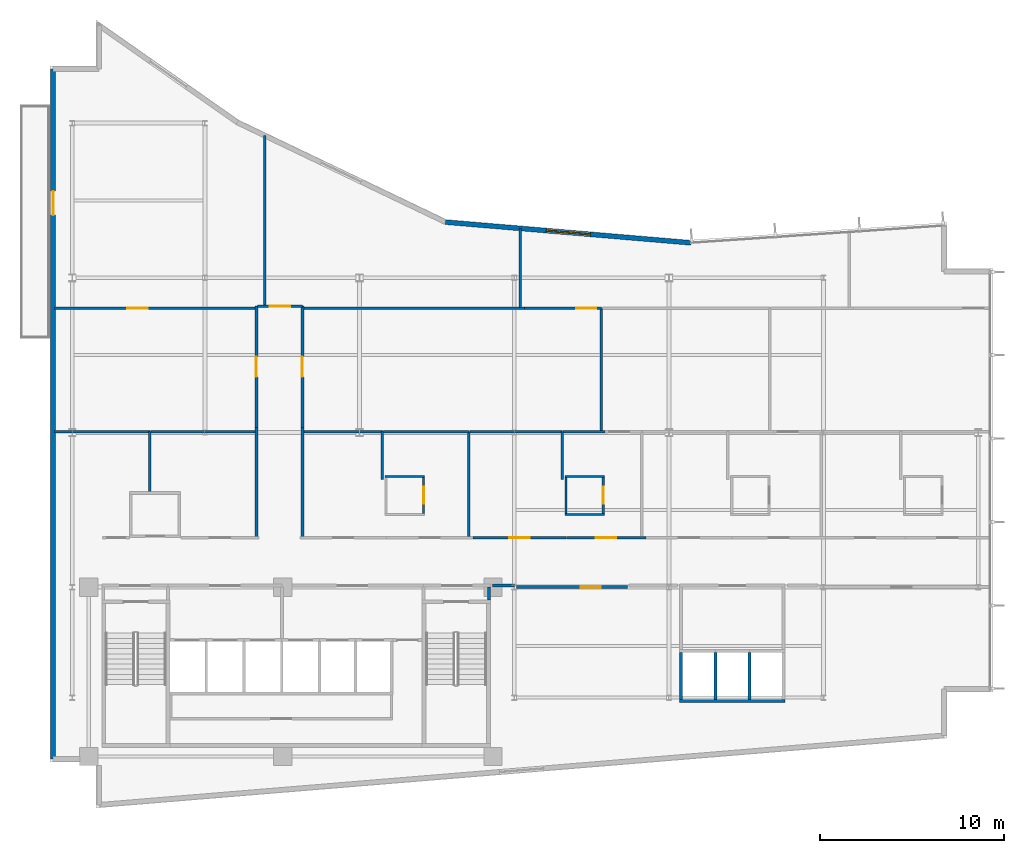
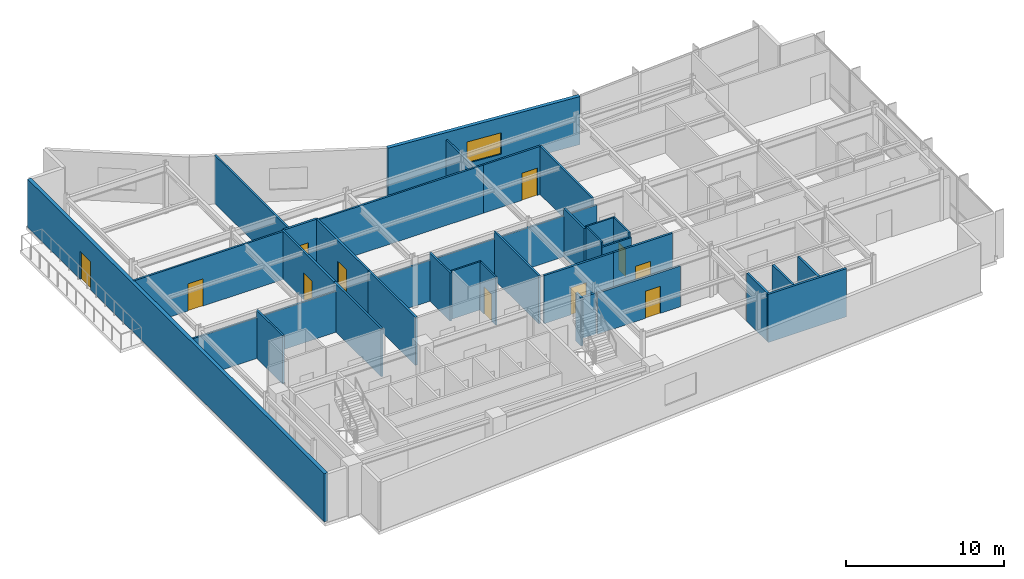
# One storey, part 12 of 17: 38 walls, 11 doors, 1 window, 12 openings.
"""IFC4 building model written with IfcOpenShell, lengths in metres."""

from ifc_helpers import new_model, si_unit, direction, frame, frame_2d, origin, place, context, subcontext, project, spatial, rectangle, extrude, material, layer, layer_set, type_object, element, fill, save


model = new_model("IFC4")

# Units and contexts
model_context = context("Model", 3, precision=1e-05, world=origin(), true_north=direction((0.0, 1.0)))
body_context = subcontext(model_context, "Body", "Model", "MODEL_VIEW")
ifc_project = project(units=[si_unit("LENGTHUNIT", "METRE"), si_unit("AREAUNIT", "SQUARE_METRE"), si_unit("VOLUMEUNIT", "CUBIC_METRE"), si_unit("PLANEANGLEUNIT", "RADIAN"), si_unit("MASSUNIT", "GRAM", prefix="KILO")], contexts=[model_context])

# Site, building, storey
site_placement = place(None, origin())
site = spatial("IfcSite", under=ifc_project, at=site_placement, CompositionType="ELEMENT")
building_placement = place(site_placement, origin())
building = spatial("IfcBuilding", under=site, at=building_placement, Name="Varnakote Quay Hospital", CompositionType="ELEMENT")
storey_placement = place(building_placement, frame((0.0, 0.0, 184.199951171875)))
storey = spatial("IfcBuildingStorey", under=building, at=storey_placement, Name="L45", CompositionType="ELEMENT", Elevation=184.199951171875)

# Walls
ifc_material_1 = material(Name="Fire-rated acoustic gypsum stud wall", Category="gypsum")
ifc_layer_1 = layer(ifc_material_1, 0.159912109375)
ifc_layer_set_1 = layer_set([ifc_layer_1], Name="Fire-rated acoustic gypsum stud wall")
wall_type_1 = type_object("IfcWallType", Name="WL-COMP-160", PredefinedType="PARTITIONING", material=ifc_layer_set_1)
wall_1_placement = place(storey_placement, frame((23.820068359375, 11.300048828125, 0.0), z_axis=(0.0, 0.0, 1.0), x_axis=(0.0, 1.0, 0.0)))
element("IfcWall", 1, at=wall_1_placement, inside=storey, type_object=wall_type_1, Name="L45 East Stair Vestibule East Wall", PredefinedType="PARTITIONING", context=body_context, shape_type="SweptSolid", body=[
    extrude(rectangle(XDim=0.699951171875, YDim=0.159912109375, at=frame_2d((0.35009765625, 0.0))), origin(), (0.0, 0.0, 1.0), 3.7099609375),
])
wall_2_placement = place(storey_placement, frame((24.02001953125, 12.080078125, 0.0), z_axis=(0.0, 0.0, 1.0), x_axis=(1.0, 0.0, 0.0)))
element("IfcWall", 2, at=wall_2_placement, inside=storey, type_object=wall_type_1, Name="L45 Corridor South Gap Wall", PredefinedType="PARTITIONING", context=body_context, shape_type="SweptSolid", body=[
    extrude(rectangle(XDim=1.21875, YDim=0.159912109375, at=frame_2d((0.609375, 0.0))), origin(), (0.0, 0.0, 1.0), 3.152099609375),
])
ifc_material_2 = material(Name="Moisture-resistant bathroom partition", Category="gypsum")
ifc_layer_2 = layer(ifc_material_2, 0.114990234375)
ifc_layer_set_2 = layer_set([ifc_layer_2], Name="Moisture-resistant bathroom partition")
wall_type_2 = type_object("IfcWallType", Name="WL-ENS-115", PredefinedType="PARTITIONING", material=ifc_layer_set_2)
wall_3_placement = place(storey_placement, frame((18.18505859375, 18.017578125, 0.0), z_axis=(0.0, 0.0, 1.0), x_axis=(1.0, 0.0, 0.0)))
element("IfcWall", 3, at=wall_3_placement, inside=storey, type_object=wall_type_2, Name="L45 Inpatient En-Suite Bathroom 01 N Wall", PredefinedType="PARTITIONING", context=body_context, shape_type="SweptSolid", body=[
    extrude(rectangle(XDim=2.14990234375, YDim=0.114990234375, at=frame_2d((1.074951171875, 0.0))), origin(), (0.0, 0.0, 1.0), 3.7099609375),
])

# Wall, opening, door
wall_4_placement = place(storey_placement, frame((20.277587890625, 16.010009765625, 0.0), z_axis=(0.0, 0.0, 1.0), x_axis=(0.0, 1.0, 0.0)))
wall_4 = element("IfcWall", 4, at=wall_4_placement, inside=storey, type_object=wall_type_2, Name="L45 Inpatient En-Suite Bathroom 01 E Wall", PredefinedType="PARTITIONING", context=body_context, shape_type="SweptSolid", body=[
    extrude(rectangle(XDim=1.949951171875, YDim=0.114990234375, at=frame_2d((0.97509765625, 0.0))), origin(), (0.0, 0.0, 1.0), 3.7099609375),
])
opening_1_placement = place(wall_4_placement, frame((0.514892578125, 0.0, 0.0)))
opening_1 = element("IfcOpeningElement", 5, at=opening_1_placement, cuts=wall_4, Name="Opening D-L45-ENS01", PredefinedType="OPENING", context=body_context, shape_type="SweptSolid", body=[
    extrude(rectangle(XDim=0.919921875, YDim=2.10009765625, at=frame_2d((0.4599609375, 1.050048828125))), frame((0.0, 0.0673828125, 0.0), z_axis=(0.0, -1.0, 0.0), x_axis=(1.0, 0.0, 0.0)), (0.0, 0.0, 1.0), 0.135009765625),
])
ifc_material_3 = material(Name="Moisture-sealed en-suite bathroom door")
door_type_1 = type_object("IfcDoorType", Name="DR-ENS-920x2100", OperationType="NOTDEFINED", PredefinedType="DOOR", material=ifc_material_3)
door_1_placement = place(opening_1_placement, origin())
door_1 = element("IfcDoor", 6, at=door_1_placement, inside=storey, type_object=door_type_1, Name="L45 Inpatient En-Suite Bathroom 01 Door", OperationType="SINGLE_SWING_LEFT", OverallHeight=2.10009765625, OverallWidth=0.919921875, PredefinedType="DOOR", context=body_context, shape_type="SweptSolid", body=[
    extrude(rectangle(XDim=0.919921875, YDim=2.10009765625, at=frame_2d((0.4599609375, 1.050048828125))), frame((0.0, 0.02490234375, 0.0), z_axis=(0.0, -1.0, 0.0), x_axis=(1.0, 0.0, 0.0)), (0.0, 0.0, 1.0), 0.050048828125),
])
fill(opening_1, door_1)

# Walls
wall_5_placement = place(storey_placement, frame((27.945068359375, 15.952392578125, 0.0), z_axis=(0.0, 0.0, 1.0), x_axis=(1.0, 0.0, 0.0)))
element("IfcWall", 7, at=wall_5_placement, inside=storey, type_object=wall_type_2, Name="L45 Inpatient En-Suite Bathroom 02 S Wall", PredefinedType="PARTITIONING", context=body_context, shape_type="SweptSolid", body=[
    extrude(rectangle(XDim=2.14990234375, YDim=0.114990234375, at=frame_2d((1.074951171875, 0.0))), origin(), (0.0, 0.0, 1.0), 3.381103515625),
])
wall_6_placement = place(storey_placement, frame((27.945068359375, 18.017578125, 0.0), z_axis=(0.0, 0.0, 1.0), x_axis=(1.0, 0.0, 0.0)))
element("IfcWall", 8, at=wall_6_placement, inside=storey, type_object=wall_type_2, Name="L45 Inpatient En-Suite Bathroom 02 N Wall", PredefinedType="PARTITIONING", context=body_context, shape_type="SweptSolid", body=[
    extrude(rectangle(XDim=2.14990234375, YDim=0.114990234375, at=frame_2d((1.074951171875, 0.0))), origin(), (0.0, 0.0, 1.0), 3.7099609375),
])
wall_7_placement = place(storey_placement, frame((28.00244140625, 16.010009765625, 0.0), z_axis=(0.0, 0.0, 1.0), x_axis=(0.0, 1.0, 0.0)))
element("IfcWall", 9, at=wall_7_placement, inside=storey, type_object=wall_type_2, Name="L45 Inpatient En-Suite Bathroom 02 W Wall", PredefinedType="PARTITIONING", context=body_context, shape_type="SweptSolid", body=[
    extrude(rectangle(XDim=1.949951171875, YDim=0.114990234375, at=frame_2d((0.97509765625, 0.0))), origin(), (0.0, 0.0, 1.0), 3.7099609375),
])

# Wall, opening, door
wall_8_placement = place(storey_placement, frame((30.03759765625, 16.010009765625, 0.0), z_axis=(0.0, 0.0, 1.0), x_axis=(0.0, 1.0, 0.0)))
wall_8 = element("IfcWall", 10, at=wall_8_placement, inside=storey, type_object=wall_type_2, Name="L45 Inpatient En-Suite Bathroom 02 E Wall", PredefinedType="PARTITIONING", context=body_context, shape_type="SweptSolid", body=[
    extrude(rectangle(XDim=1.949951171875, YDim=0.114990234375, at=frame_2d((0.97509765625, 0.0))), origin(), (0.0, 0.0, 1.0), 3.7099609375),
])
opening_2_placement = place(wall_8_placement, frame((0.514892578125, 0.0, 0.0)))
opening_2 = element("IfcOpeningElement", 11, at=opening_2_placement, cuts=wall_8, Name="Opening D-L45-ENS02", PredefinedType="OPENING", context=body_context, shape_type="SweptSolid", body=[
    extrude(rectangle(XDim=0.919921875, YDim=2.10009765625, at=frame_2d((0.4599609375, 1.050048828125))), frame((0.0, 0.0673828125, 0.0), z_axis=(0.0, -1.0, 0.0), x_axis=(1.0, 0.0, 0.0)), (0.0, 0.0, 1.0), 0.135009765625),
])
door_2_placement = place(opening_2_placement, origin())
door_2 = element("IfcDoor", 12, at=door_2_placement, inside=storey, type_object=door_type_1, Name="L45 Inpatient En-Suite Bathroom 02 Door", OperationType="SINGLE_SWING_RIGHT", OverallHeight=2.10009765625, OverallWidth=0.919921875, PredefinedType="DOOR", context=body_context, shape_type="SweptSolid", body=[
    extrude(rectangle(XDim=0.919921875, YDim=2.10009765625, at=frame_2d((0.4599609375, 1.050048828125))), frame((0.0, 0.02490234375, 0.0), z_axis=(0.0, -1.0, 0.0), x_axis=(1.0, 0.0, 0.0)), (0.0, 0.0, 1.0), 0.050048828125),
])
fill(opening_2, door_2)

# Wall, opening, window
ifc_material_4 = material(Name="Precast concrete N50 (f'c 50 MPa)", Category="concrete")
ifc_layer_3 = layer(ifc_material_4, 0.260009765625)
ifc_layer_set_3 = layer_set([ifc_layer_3], Name="Precast concrete N50 (f'c 50 MPa)")
wall_type_3 = type_object("IfcWallType", Name="WL-EXT-BRICK-260", PredefinedType="STANDARD", material=ifc_layer_set_3)
wall_9_placement = place(storey_placement, frame((34.814697265625, 30.695556640625, 0.0), z_axis=(0.0, 0.0, 1.0), x_axis=(-0.996454704935, 0.084130975344, 0.0)))
wall_9 = element("IfcWall", 13, at=wall_9_placement, inside=storey, type_object=wall_type_3, Name="L45 Brick-Faced Precast Exterior Wall", PredefinedType="STANDARD", context=body_context, shape_type="SweptSolid", body=[
    extrude(rectangle(XDim=13.401123046875, YDim=0.260009765625, at=frame_2d((6.70068359375, 0.0))), origin(), (0.0, 0.0, 1.0), 3.7099609375),
])
opening_3_placement = place(wall_9_placement, frame((5.50048828125, 0.0, 0.89990234375)))
opening_3 = element("IfcOpeningElement", 14, at=opening_3_placement, cuts=wall_9, Name="Opening WN-0187", PredefinedType="OPENING", context=body_context, shape_type="SweptSolid", body=[
    extrude(rectangle(XDim=2.39990234375, YDim=1.64990234375, at=frame_2d((1.199951171875, 0.824951171875))), frame((0.0, 0.139892578125, 0.0), z_axis=(0.0, -1.0, 0.0), x_axis=(1.0, 0.0, 0.0)), (0.0, 0.0, 1.0), 0.280029296875),
])
ifc_material_5 = material(Name="Double-glazed low-E solar glass", Category="glass")
window_type = type_object("IfcWindowType", Name="WIN-CLIN-2400x1650", PartitioningType="SINGLE_PANEL", PredefinedType="WINDOW", material=ifc_material_5)
window_placement = place(opening_3_placement, origin())
window = element("IfcWindow", 15, at=window_placement, inside=storey, type_object=window_type, Name="L45 Solar-Control Clinical Window", OverallHeight=1.64990234375, OverallWidth=2.39990234375, PartitioningType="SINGLE_PANEL", PredefinedType="WINDOW", context=body_context, shape_type="SweptSolid", body=[
    extrude(rectangle(XDim=2.39990234375, YDim=1.64990234375, at=frame_2d((1.199951171875, 0.824951171875))), frame((0.0, 0.030029296875, 0.0), z_axis=(0.0, -1.0, 0.0), x_axis=(1.0, 0.0, 0.0)), (0.0, 0.0, 1.0), 0.06005859375),
])
fill(opening_3, window)

# Wall, opening, door
wall_10_placement = place(storey_placement, frame((0.159912109375, 40.139892578125, 0.0), z_axis=(0.0, 0.0, 1.0), x_axis=(0.0, -1.0, 0.0)))
wall_10 = element("IfcWall", 16, at=wall_10_placement, inside=storey, type_object=wall_type_3, Name="L45 Healing Terrace Portal Brick Wall", PredefinedType="STANDARD", context=body_context, shape_type="SweptSolid", body=[
    extrude(rectangle(XDim=37.47998046875, YDim=0.260009765625, at=frame_2d((18.739990234375, 0.0))), origin(), (0.0, 0.0, 1.0), 3.7099609375),
])
opening_4_placement = place(wall_10_placement, frame((6.6376953125, 0.0, 0.0)))
opening_4 = element("IfcOpeningElement", 17, at=opening_4_placement, cuts=wall_10, Name="Opening DT-L45", PredefinedType="OPENING", context=body_context, shape_type="SweptSolid", body=[
    extrude(rectangle(XDim=1.300048828125, YDim=2.14990234375, at=frame_2d((0.64990234375, 1.074951171875))), frame((0.0, 0.139892578125, 0.0), z_axis=(0.0, -1.0, 0.0), x_axis=(1.0, 0.0, 0.0)), (0.0, 0.0, 1.0), 0.280029296875),
])
ifc_material_6 = material(Name="Anodised aluminium glazed terrace door", Category="aluminium")
door_type_2 = type_object("IfcDoorType", Name="DR-EXT-TERR-1300x2150", OperationType="NOTDEFINED", PredefinedType="DOOR", material=ifc_material_6)
door_3_placement = place(opening_4_placement, origin())
door_3 = element("IfcDoor", 18, at=door_3_placement, inside=storey, type_object=door_type_2, Name="L45 Waterfront Healing Terrace Door", OperationType="SINGLE_SWING_RIGHT", OverallHeight=2.14990234375, OverallWidth=1.300048828125, PredefinedType="DOOR", context=body_context, shape_type="SweptSolid", body=[
    extrude(rectangle(XDim=1.300048828125, YDim=2.14990234375, at=frame_2d((0.64990234375, 1.074951171875))), frame((0.0, 0.02490234375, 0.0), z_axis=(0.0, -1.0, 0.0), x_axis=(1.0, 0.0, 0.0)), (0.0, 0.0, 1.0), 0.050048828125),
])
fill(opening_4, door_3)

# Walls
ifc_material_7 = material(Name="Concrete N50 (f'c 50 MPa)", Category="concrete")
ifc_layer_4 = layer(ifc_material_7, 0.14990234375)
ifc_layer_set_4 = layer_set([ifc_layer_4], Name="Concrete N50 (f'c 50 MPa)")
wall_type_4 = type_object("IfcWallType", Name="WL-SHAFT-N50-150", PredefinedType="SHEAR", material=ifc_layer_set_4)
for number, where, z_axis, x_axis, name in (
    (19, (36.125, 5.89990234375, 0.0), (0.0, 0.0, 1.0), (0.0, 1.0, 0.0), "L45 LF-PM1 Hoistway Divider Wall"),
    (20, (37.97509765625, 5.89990234375, 0.0), (0.0, 0.0, 1.0), (0.0, 1.0, 0.0), "L45 LF-PM2 Hoistway Divider Wall"),
):
    element("IfcWall", number, at=place(storey_placement, frame(where, z_axis=z_axis, x_axis=x_axis)), inside=storey, type_object=wall_type_4, Name=name, PredefinedType="SHEAR", context=body_context, shape_type="SweptSolid", body=[
        extrude(rectangle(XDim=2.550048828125, YDim=0.14990234375, at=frame_2d((1.27490234375, 0.0))), origin(), (0.0, 0.0, 1.0), 3.7099609375),
    ])
ifc_material_8 = material(Name="Concrete N50 (f'c 50 MPa)", Category="concrete")
ifc_layer_5 = layer(ifc_material_8, 0.159912109375)
ifc_layer_set_5 = layer_set([ifc_layer_5], Name="Concrete N50 (f'c 50 MPa)")
wall_type_5 = type_object("IfcWallType", Name="WL-SHAFT-N50-160", PredefinedType="SHEAR", material=ifc_layer_set_5)
wall_11_placement = place(storey_placement, frame((34.18994140625, 5.820068359375, 0.0), z_axis=(0.0, 0.0, 1.0), x_axis=(1.0, 0.0, 0.0)))
element("IfcWall", 21, at=wall_11_placement, inside=storey, type_object=wall_type_5, Name="L45 MID Lift Bank Back Shear Wall", PredefinedType="SHEAR", context=body_context, shape_type="SweptSolid", body=[
    extrude(rectangle(XDim=5.719970703125, YDim=0.159912109375, at=frame_2d((2.85986328125, 0.0))), origin(), (0.0, 0.0, 1.0), 3.7099609375),
])
wall_12_placement = place(storey_placement, frame((34.27001953125, 5.89990234375, 0.0), z_axis=(0.0, 0.0, 1.0), x_axis=(0.0, 1.0, 0.0)))
element("IfcWall", 22, at=wall_12_placement, inside=storey, type_object=wall_type_5, Name="L45 MID Lift Bank West Shear Wall", PredefinedType="SHEAR", context=body_context, shape_type="SweptSolid", body=[
    extrude(rectangle(XDim=2.550048828125, YDim=0.159912109375, at=frame_2d((1.27490234375, 0.0))), origin(), (0.0, 0.0, 1.0), 3.7099609375),
])
ifc_material_9 = material(Name="Smoke-proof clinical partition", Category="gypsum")
ifc_layer_6 = layer(ifc_material_9, 0.135009765625)
ifc_layer_set_6 = layer_set([ifc_layer_6], Name="Smoke-proof clinical partition")
wall_type_6 = type_object("IfcWallType", Name="WL-SMOKE-135", PredefinedType="PARTITIONING", material=ifc_layer_set_6)
wall_13_placement = place(storey_placement, frame((5.409912109375, 17.139892578125, 0.0), z_axis=(0.0, 0.0, 1.0), x_axis=(0.0, 1.0, 0.0)))
element("IfcWall", 23, at=wall_13_placement, inside=storey, type_object=wall_type_6, Name="L45 Clinical Interior Partition", PredefinedType="PARTITIONING", context=body_context, shape_type="SweptSolid", body=[
    extrude(rectangle(XDim=3.300048828125, YDim=0.135009765625, at=frame_2d((1.64990234375, 0.0))), origin(), (0.0, 0.0, 1.0), 3.7099609375),
])
wall_14_placement = place(storey_placement, frame((5.409912109375, 20.43994140625, 0.0), z_axis=(0.0, 0.0, 1.0), x_axis=(-1.0, 0.0, 0.0)))
element("IfcWall", 24, at=wall_14_placement, inside=storey, type_object=wall_type_6, Name="L45 Clinical Interior Partition", PredefinedType="PARTITIONING", context=body_context, shape_type="SweptSolid", body=[
    extrude(rectangle(XDim=5.169921875, YDim=0.135009765625, at=frame_2d((2.5849609375, 0.0))), origin(), (0.0, 0.0, 1.0), 3.152099609375),
])
wall_15_placement = place(storey_placement, frame((11.1201171875, 20.43994140625, 0.0), z_axis=(0.0, 0.0, 1.0), x_axis=(-1.0, 0.0, 0.0)))
element("IfcWall", 25, at=wall_15_placement, inside=storey, type_object=wall_type_6, Name="L45 Clinical Interior Partition", PredefinedType="PARTITIONING", context=body_context, shape_type="SweptSolid", body=[
    extrude(rectangle(XDim=5.652587890625, YDim=0.135009765625, at=frame_2d((2.826171875, 0.0))), origin(), (0.0, 0.0, 1.0), 3.152099609375),
])
wall_16_placement = place(storey_placement, frame((18.0400390625, 17.83251953125, 0.0), z_axis=(0.0, 0.0, 1.0), x_axis=(0.0, 1.0, 0.0)))
element("IfcWall", 26, at=wall_16_placement, inside=storey, type_object=wall_type_6, Name="L45 Clinical Interior Partition", PredefinedType="PARTITIONING", context=body_context, shape_type="SweptSolid", body=[
    extrude(rectangle(XDim=2.607421875, YDim=0.135009765625, at=frame_2d((1.3037109375, 0.0))), origin(), (0.0, 0.0, 1.0), 3.7099609375),
])
wall_17_placement = place(storey_placement, frame((18.0400390625, 20.43994140625, 0.0), z_axis=(0.0, 0.0, 1.0), x_axis=(-1.0, 0.0, 0.0)))
element("IfcWall", 27, at=wall_17_placement, inside=storey, type_object=wall_type_6, Name="L45 Clinical Interior Partition", PredefinedType="PARTITIONING", context=body_context, shape_type="SweptSolid", body=[
    extrude(rectangle(XDim=4.260009765625, YDim=0.135009765625, at=frame_2d((2.1298828125, 0.0))), origin(), (0.0, 0.0, 1.0), 3.152099609375),
])
wall_18_placement = place(storey_placement, frame((22.72998046875, 14.760009765625, 0.0), z_axis=(0.0, 0.0, 1.0), x_axis=(0.0, 1.0, 0.0)))
element("IfcWall", 28, at=wall_18_placement, inside=storey, type_object=wall_type_6, Name="L45 Clinical Interior Partition", PredefinedType="PARTITIONING", context=body_context, shape_type="SweptSolid", body=[
    extrude(rectangle(XDim=5.679931640625, YDim=0.135009765625, at=frame_2d((2.83984375, 0.0))), origin(), (0.0, 0.0, 1.0), 3.7099609375),
])
wall_19_placement = place(storey_placement, frame((22.72998046875, 20.43994140625, 0.0), z_axis=(0.0, 0.0, 1.0), x_axis=(-1.0, 0.0, 0.0)))
element("IfcWall", 29, at=wall_19_placement, inside=storey, type_object=wall_type_6, Name="L45 Clinical Interior Partition", PredefinedType="PARTITIONING", context=body_context, shape_type="SweptSolid", body=[
    extrude(rectangle(XDim=4.632568359375, YDim=0.135009765625, at=frame_2d((2.31640625, 0.0))), origin(), (0.0, 0.0, 1.0), 3.152099609375),
])
wall_20_placement = place(storey_placement, frame((27.800048828125, 17.83251953125, 0.0), z_axis=(0.0, 0.0, 1.0), x_axis=(0.0, 1.0, 0.0)))
element("IfcWall", 30, at=wall_20_placement, inside=storey, type_object=wall_type_6, Name="L45 Clinical Interior Partition", PredefinedType="PARTITIONING", context=body_context, shape_type="SweptSolid", body=[
    extrude(rectangle(XDim=2.607421875, YDim=0.135009765625, at=frame_2d((1.3037109375, 0.0))), origin(), (0.0, 0.0, 1.0), 3.7099609375),
])
wall_21_placement = place(storey_placement, frame((27.800048828125, 20.43994140625, 0.0), z_axis=(0.0, 0.0, 1.0), x_axis=(-1.0, 0.0, 0.0)))
element("IfcWall", 31, at=wall_21_placement, inside=storey, type_object=wall_type_6, Name="L45 Clinical Interior Partition", PredefinedType="PARTITIONING", context=body_context, shape_type="SweptSolid", body=[
    extrude(rectangle(XDim=5.012451171875, YDim=0.135009765625, at=frame_2d((2.50634765625, 0.0))), origin(), (0.0, 0.0, 1.0), 3.152099609375),
])
wall_22_placement = place(storey_placement, frame((30.137451171875, 20.43994140625, 0.0), z_axis=(0.0, 0.0, 1.0), x_axis=(-1.0, 0.0, 0.0)))
element("IfcWall", 32, at=wall_22_placement, inside=storey, type_object=wall_type_6, Name="L45 Clinical Interior Partition", PredefinedType="PARTITIONING", context=body_context, shape_type="SweptSolid", body=[
    extrude(rectangle(XDim=2.280029296875, YDim=0.135009765625, at=frame_2d((1.14013671875, 0.0))), origin(), (0.0, 0.0, 1.0), 3.152099609375),
])

# Wall, opening, door
wall_23_placement = place(storey_placement, frame((11.1201171875, 27.139892578125, 0.0), z_axis=(0.0, 0.0, 1.0), x_axis=(-1.0, 0.0, 0.0)))
wall_23 = element("IfcWall", 33, at=wall_23_placement, inside=storey, type_object=wall_type_6, Name="L45 Clinical Interior Partition", PredefinedType="PARTITIONING", context=body_context, shape_type="SweptSolid", body=[
    extrude(rectangle(XDim=10.880126953125, YDim=0.135009765625, at=frame_2d((5.43994140625, 0.0))), origin(), (0.0, 0.0, 1.0), 3.7099609375),
])
opening_5_placement = place(wall_23_placement, frame((5.827880859375, 0.0, 0.0)))
opening_5 = element("IfcOpeningElement", 34, at=opening_5_placement, cuts=wall_23, Name="Opening D-L45-MD10", PredefinedType="OPENING", context=body_context, shape_type="SweptSolid", body=[
    extrude(rectangle(XDim=1.10009765625, YDim=2.10009765625, at=frame_2d((0.550048828125, 1.050048828125))), frame((0.0, 0.077392578125, 0.0), z_axis=(0.0, -1.0, 0.0), x_axis=(1.0, 0.0, 0.0)), (0.0, 0.0, 1.0), 0.155029296875),
])
ifc_material_10 = material(Name="Acoustic timber clinical consult door", Category="wood")
door_type_3 = type_object("IfcDoorType", Name="DR-CLIN-FD30S-1100x2100", OperationType="NOTDEFINED", PredefinedType="DOOR", material=ifc_material_10)
door_4_placement = place(opening_5_placement, origin())
door_4 = element("IfcDoor", 35, at=door_4_placement, inside=storey, type_object=door_type_3, Name="L45 Stroke Rehabilitation Treatment Suite Door", OperationType="SINGLE_SWING_RIGHT", OverallHeight=2.10009765625, OverallWidth=1.10009765625, PredefinedType="DOOR", context=body_context, shape_type="SweptSolid", body=[
    extrude(rectangle(XDim=1.10009765625, YDim=2.10009765625, at=frame_2d((0.550048828125, 1.050048828125))), frame((0.0, 0.02490234375, 0.0), z_axis=(0.0, -1.0, 0.0), x_axis=(1.0, 0.0, 0.0)), (0.0, 0.0, 1.0), 0.050048828125),
])
fill(opening_5, door_4)

# Walls
wall_24_placement = place(storey_placement, frame((29.929931640625, 20.49755859375, 0.0), z_axis=(0.0, 0.0, 1.0), x_axis=(0.0, 1.0, 0.0)))
element("IfcWall", 36, at=wall_24_placement, inside=storey, type_object=wall_type_6, Name="L45 Clinical Interior Partition", PredefinedType="PARTITIONING", context=body_context, shape_type="SweptSolid", body=[
    extrude(rectangle(XDim=6.642333984375, YDim=0.135009765625, at=frame_2d((3.3212890625, 0.0))), origin(), (0.0, 0.0, 1.0), 3.7099609375),
])
wall_25_placement = place(storey_placement, frame((25.74755859375, 27.139892578125, 0.0), z_axis=(0.0, 0.0, 1.0), x_axis=(-1.0, 0.0, 0.0)))
element("IfcWall", 37, at=wall_25_placement, inside=storey, type_object=wall_type_6, Name="L45 Clinical Interior Partition", PredefinedType="PARTITIONING", context=body_context, shape_type="SweptSolid", body=[
    extrude(rectangle(XDim=11.967529296875, YDim=0.135009765625, at=frame_2d((5.98388671875, 0.0))), origin(), (0.0, 0.0, 1.0), 3.7099609375),
])

# Wall, opening, door
wall_26_placement = place(storey_placement, frame((29.929931640625, 27.139892578125, 0.0), z_axis=(0.0, 0.0, 1.0), x_axis=(-1.0, 0.0, 0.0)))
wall_26 = element("IfcWall", 38, at=wall_26_placement, inside=storey, type_object=wall_type_6, Name="L45 Clinical Interior Partition", PredefinedType="PARTITIONING", context=body_context, shape_type="SweptSolid", body=[
    extrude(rectangle(XDim=4.180419921875, YDim=0.135009765625, at=frame_2d((2.09033203125, 0.0))), origin(), (0.0, 0.0, 1.0), 3.7099609375),
])
opening_6_placement = place(wall_26_placement, frame((0.26708984375, 0.0, 0.0)))
opening_6 = element("IfcOpeningElement", 39, at=opening_6_placement, cuts=wall_26, Name="Opening D-L45-MD12", PredefinedType="OPENING", context=body_context, shape_type="SweptSolid", body=[
    extrude(rectangle(XDim=1.10009765625, YDim=2.10009765625, at=frame_2d((0.550048828125, 1.050048828125))), frame((0.0, 0.077392578125, 0.0), z_axis=(0.0, -1.0, 0.0), x_axis=(1.0, 0.0, 0.0)), (0.0, 0.0, 1.0), 0.155029296875),
])
door_5_placement = place(opening_6_placement, origin())
door_5 = element("IfcDoor", 40, at=door_5_placement, inside=storey, type_object=door_type_3, Name="L45 Neuro-Rehab Clinical Consultation Suite Door", OperationType="SINGLE_SWING_LEFT", OverallHeight=2.10009765625, OverallWidth=1.10009765625, PredefinedType="DOOR", context=body_context, shape_type="SweptSolid", body=[
    extrude(rectangle(XDim=1.10009765625, YDim=2.10009765625, at=frame_2d((0.550048828125, 1.050048828125))), frame((0.0, 0.02490234375, 0.0), z_axis=(0.0, -1.0, 0.0), x_axis=(1.0, 0.0, 0.0)), (0.0, 0.0, 1.0), 0.050048828125),
])
fill(opening_6, door_5)

# Walls
wall_27_placement = place(storey_placement, frame((11.64990234375, 27.320068359375, 0.0), z_axis=(0.0, 0.0, 1.0), x_axis=(0.0, 1.0, 0.0)))
element("IfcWall", 41, at=wall_27_placement, inside=storey, type_object=wall_type_6, Name="L45 Clinical Interior Partition", PredefinedType="PARTITIONING", context=body_context, shape_type="SweptSolid", body=[
    extrude(rectangle(XDim=9.203125, YDim=0.135009765625, at=frame_2d((4.6015625, 0.0))), origin(), (0.0, 0.0, 1.0), 3.7099609375),
])
wall_28_placement = place(storey_placement, frame((25.5400390625, 27.197509765625, 0.0), z_axis=(0.0, 0.0, 1.0), x_axis=(0.0, 1.0, 0.0)))
element("IfcWall", 42, at=wall_28_placement, inside=storey, type_object=wall_type_6, Name="L45 Clinical Interior Partition", PredefinedType="PARTITIONING", context=body_context, shape_type="SweptSolid", body=[
    extrude(rectangle(XDim=4.28125, YDim=0.135009765625, at=frame_2d((2.140625, 0.0))), origin(), (0.0, 0.0, 1.0), 3.152099609375),
])

# Wall, opening, door
ifc_material_11 = material(Name="Fire-rated clinical gypsum partition", Category="gypsum")
ifc_layer_7 = layer(ifc_material_11, 0.14990234375)
ifc_layer_set_7 = layer_set([ifc_layer_7], Name="Fire-rated clinical gypsum partition")
wall_type_7 = type_object("IfcWallType", Name="WL-WARD-150", PredefinedType="PARTITIONING", material=ifc_layer_set_7)
wall_29_placement = place(storey_placement, frame((31.35009765625, 12.0, 0.0), z_axis=(0.0, 0.0, 1.0), x_axis=(-1.0, 0.0, 0.0)))
wall_29 = element("IfcWall", 43, at=wall_29_placement, inside=storey, type_object=wall_type_7, Name="L45 Clinical Interior Partition", PredefinedType="PARTITIONING", context=body_context, shape_type="SweptSolid", body=[
    extrude(rectangle(XDim=6.022216796875, YDim=0.14990234375, at=frame_2d((3.01123046875, 0.0))), origin(), (0.0, 0.0, 1.0), 3.152099609375),
])
opening_7_placement = place(wall_29_placement, frame((1.443603515625, 0.0, 0.0)))
opening_7 = element("IfcOpeningElement", 44, at=opening_7_placement, cuts=wall_29, Name="Opening D-L45-RL1", PredefinedType="OPENING", context=body_context, shape_type="SweptSolid", body=[
    extrude(rectangle(XDim=1.10009765625, YDim=2.10009765625, at=frame_2d((0.550048828125, 1.050048828125))), frame((0.0, 0.0849609375, 0.0), z_axis=(0.0, -1.0, 0.0), x_axis=(1.0, 0.0, 0.0)), (0.0, 0.0, 1.0), 0.169921875),
])
door_6_placement = place(opening_7_placement, origin())
door_6 = element("IfcDoor", 45, at=door_6_placement, inside=storey, type_object=door_type_3, Name="L45 Day Infusion Treatment Suite Door", OperationType="SINGLE_SWING_LEFT", OverallHeight=2.10009765625, OverallWidth=1.10009765625, PredefinedType="DOOR", context=body_context, shape_type="SweptSolid", body=[
    extrude(rectangle(XDim=1.10009765625, YDim=2.10009765625, at=frame_2d((0.550048828125, 1.050048828125))), frame((0.0, 0.02490234375, 0.0), z_axis=(0.0, -1.0, 0.0), x_axis=(1.0, 0.0, 0.0)), (0.0, 0.0, 1.0), 0.050048828125),
])
fill(opening_7, door_6)

wall_30_placement = place(storey_placement, frame((28.02587890625, 14.679931640625, 0.0), z_axis=(0.0, 0.0, 1.0), x_axis=(-1.0, 0.0, 0.0)))
wall_30 = element("IfcWall", 46, at=wall_30_placement, inside=storey, type_object=wall_type_7, Name="L45 Clinical Interior Partition", PredefinedType="PARTITIONING", context=body_context, shape_type="SweptSolid", body=[
    extrude(rectangle(XDim=5.06787109375, YDim=0.14990234375, at=frame_2d((2.533935546875, 0.0))), origin(), (0.0, 0.0, 1.0), 3.7099609375),
])
opening_8_placement = place(wall_30_placement, frame((1.98388671875, 0.0, 0.0)))
opening_8 = element("IfcOpeningElement", 47, at=opening_8_placement, cuts=wall_30, Name="Opening D-L45-MD04", PredefinedType="OPENING", context=body_context, shape_type="SweptSolid", body=[
    extrude(rectangle(XDim=1.10009765625, YDim=2.10009765625, at=frame_2d((0.550048828125, 1.050048828125))), frame((0.0, 0.0849609375, 0.0), z_axis=(0.0, -1.0, 0.0), x_axis=(1.0, 0.0, 0.0)), (0.0, 0.0, 1.0), 0.169921875),
])
door_7_placement = place(opening_8_placement, origin())
door_7 = element("IfcDoor", 48, at=door_7_placement, inside=storey, type_object=door_type_3, Name="L45 Neuro-Rehab Clinical Consultation Suite Door", OperationType="SINGLE_SWING_LEFT", OverallHeight=2.10009765625, OverallWidth=1.10009765625, PredefinedType="DOOR", context=body_context, shape_type="SweptSolid", body=[
    extrude(rectangle(XDim=1.10009765625, YDim=2.10009765625, at=frame_2d((0.550048828125, 1.050048828125))), frame((0.0, 0.02490234375, 0.0), z_axis=(0.0, -1.0, 0.0), x_axis=(1.0, 0.0, 0.0)), (0.0, 0.0, 1.0), 0.050048828125),
])
fill(opening_8, door_7)

wall_31_placement = place(storey_placement, frame((32.345947265625, 14.679931640625, 0.0), z_axis=(0.0, 0.0, 1.0), x_axis=(-1.0, 0.0, 0.0)))
wall_31 = element("IfcWall", 49, at=wall_31_placement, inside=storey, type_object=wall_type_7, Name="L45 Clinical Interior Partition", PredefinedType="PARTITIONING", context=body_context, shape_type="SweptSolid", body=[
    extrude(rectangle(XDim=4.31787109375, YDim=0.14990234375, at=frame_2d((2.158935546875, 0.0))), origin(), (0.0, 0.0, 1.0), 3.7099609375),
])
opening_9_placement = place(wall_31_placement, frame((1.60888671875, 0.0, 0.0)))
opening_9 = element("IfcOpeningElement", 50, at=opening_9_placement, cuts=wall_31, Name="Opening D-L45-BR02", PredefinedType="OPENING", context=body_context, shape_type="SweptSolid", body=[
    extrude(rectangle(XDim=1.10009765625, YDim=2.10009765625, at=frame_2d((0.550048828125, 1.050048828125))), frame((0.0, 0.0849609375, 0.0), z_axis=(0.0, -1.0, 0.0), x_axis=(1.0, 0.0, 0.0)), (0.0, 0.0, 1.0), 0.169921875),
])
door_8_placement = place(opening_9_placement, origin())
door_8 = element("IfcDoor", 51, at=door_8_placement, inside=storey, type_object=door_type_3, Name="L45 Inpatient Clinical Treatment Room 02 Door", OperationType="SINGLE_SWING_RIGHT", OverallHeight=2.10009765625, OverallWidth=1.10009765625, PredefinedType="DOOR", context=body_context, shape_type="SweptSolid", body=[
    extrude(rectangle(XDim=1.10009765625, YDim=2.10009765625, at=frame_2d((0.550048828125, 1.050048828125))), frame((0.0, 0.02490234375, 0.0), z_axis=(0.0, -1.0, 0.0), x_axis=(1.0, 0.0, 0.0)), (0.0, 0.0, 1.0), 0.050048828125),
])
fill(opening_9, door_8)

# Walls
for number, where, z_axis, x_axis, name in (
    (52, (11.199951171875, 20.666015625, 0.0), (0.0, 0.0, 1.0), (0.0, -1.0, 0.0), "L45 Clinical Interior Partition"),
    (53, (13.699951171875, 14.699951171875, 0.0), (0.0, 0.0, 1.0), (0.0, 1.0, 0.0), "L45 Clinical Interior Partition"),
):
    element("IfcWall", number, at=place(storey_placement, frame(where, z_axis=z_axis, x_axis=x_axis)), inside=storey, type_object=wall_type_7, Name=name, PredefinedType="PARTITIONING", context=body_context, shape_type="SweptSolid", body=[
        extrude(rectangle(XDim=5.966064453125, YDim=0.14990234375, at=frame_2d((2.98291015625, 0.0))), origin(), (0.0, 0.0, 1.0), 3.7099609375),
    ])

# Wall, opening, door
wall_32_placement = place(storey_placement, frame((11.199951171875, 27.260009765625, 0.0), z_axis=(0.0, 0.0, 1.0), x_axis=(0.0, -1.0, 0.0)))
wall_32 = element("IfcWall", 54, at=wall_32_placement, inside=storey, type_object=wall_type_7, Name="L45 Clinical Interior Partition", PredefinedType="PARTITIONING", context=body_context, shape_type="SweptSolid", body=[
    extrude(rectangle(XDim=6.592041015625, YDim=0.14990234375, at=frame_2d((3.2958984375, 0.0))), origin(), (0.0, 0.0, 1.0), 3.7099609375),
])
opening_10_placement = place(wall_32_placement, frame((2.74609375, 0.0, 0.0)))
opening_10 = element("IfcOpeningElement", 55, at=opening_10_placement, cuts=wall_32, Name="Opening D-L45-DLNG", PredefinedType="OPENING", context=body_context, shape_type="SweptSolid", body=[
    extrude(rectangle(XDim=1.10009765625, YDim=2.10009765625, at=frame_2d((0.550048828125, 1.050048828125))), frame((0.0, 0.0849609375, 0.0), z_axis=(0.0, -1.0, 0.0), x_axis=(1.0, 0.0, 0.0)), (0.0, 0.0, 1.0), 0.169921875),
])
door_9_placement = place(opening_10_placement, origin())
door_9 = element("IfcDoor", 56, at=door_9_placement, inside=storey, type_object=door_type_3, Name="L45 Waterfront Patient & Family Dayroom Door", OperationType="SINGLE_SWING_LEFT", OverallHeight=2.10009765625, OverallWidth=1.10009765625, PredefinedType="DOOR", context=body_context, shape_type="SweptSolid", body=[
    extrude(rectangle(XDim=1.10009765625, YDim=2.10009765625, at=frame_2d((0.550048828125, 1.050048828125))), frame((0.0, 0.02490234375, 0.0), z_axis=(0.0, -1.0, 0.0), x_axis=(1.0, 0.0, 0.0)), (0.0, 0.0, 1.0), 0.050048828125),
])
fill(opening_10, door_9)

wall_33_placement = place(storey_placement, frame((13.699951171875, 20.66796875, 0.0), z_axis=(0.0, 0.0, 1.0), x_axis=(0.0, 1.0, 0.0)))
wall_33 = element("IfcWall", 57, at=wall_33_placement, inside=storey, type_object=wall_type_7, Name="L45 Clinical Interior Partition", PredefinedType="PARTITIONING", context=body_context, shape_type="SweptSolid", body=[
    extrude(rectangle(XDim=6.592041015625, YDim=0.14990234375, at=frame_2d((3.2958984375, 0.0))), origin(), (0.0, 0.0, 1.0), 3.7099609375),
])
opening_11_placement = place(wall_33_placement, frame((2.74609375, 0.0, 0.0)))
opening_11 = element("IfcOpeningElement", 58, at=opening_11_placement, cuts=wall_33, Name="Opening D-L45-MD07", PredefinedType="OPENING", context=body_context, shape_type="SweptSolid", body=[
    extrude(rectangle(XDim=1.10009765625, YDim=2.10009765625, at=frame_2d((0.550048828125, 1.050048828125))), frame((0.0, 0.0849609375, 0.0), z_axis=(0.0, -1.0, 0.0), x_axis=(1.0, 0.0, 0.0)), (0.0, 0.0, 1.0), 0.169921875),
])
door_10_placement = place(opening_11_placement, origin())
door_10 = element("IfcDoor", 59, at=door_10_placement, inside=storey, type_object=door_type_3, Name="L45 Neurophysiology Office Door", OperationType="SINGLE_SWING_RIGHT", OverallHeight=2.10009765625, OverallWidth=1.10009765625, PredefinedType="DOOR", context=body_context, shape_type="SweptSolid", body=[
    extrude(rectangle(XDim=1.10009765625, YDim=2.10009765625, at=frame_2d((0.550048828125, 1.050048828125))), frame((0.0, 0.02490234375, 0.0), z_axis=(0.0, -1.0, 0.0), x_axis=(1.0, 0.0, 0.0)), (0.0, 0.0, 1.0), 0.050048828125),
])
fill(opening_11, door_10)

wall_34_placement = place(storey_placement, frame((13.699951171875, 27.260009765625, 0.0), z_axis=(0.0, 0.0, 1.0), x_axis=(-1.0, 0.0, 0.0)))
wall_34 = element("IfcWall", 60, at=wall_34_placement, inside=storey, type_object=wall_type_7, Name="L45 Clinical Interior Partition", PredefinedType="PARTITIONING", context=body_context, shape_type="SweptSolid", body=[
    extrude(rectangle(XDim=2.43505859375, YDim=0.14990234375, at=frame_2d((1.217529296875, 0.0))), origin(), (0.0, 0.0, 1.0), 3.7099609375),
])
opening_12_placement = place(wall_34_placement, frame((0.66748046875, 0.0, 0.0)))
opening_12 = element("IfcOpeningElement", 61, at=opening_12_placement, cuts=wall_34, Name="Opening D-L45-MD11", PredefinedType="OPENING", context=body_context, shape_type="SweptSolid", body=[
    extrude(rectangle(XDim=1.10009765625, YDim=2.10009765625, at=frame_2d((0.550048828125, 1.050048828125))), frame((0.0, 0.0849609375, 0.0), z_axis=(0.0, -1.0, 0.0), x_axis=(1.0, 0.0, 0.0)), (0.0, 0.0, 1.0), 0.169921875),
])
door_11_placement = place(opening_12_placement, origin())
door_11 = element("IfcDoor", 62, at=door_11_placement, inside=storey, type_object=door_type_3, Name="L45 Neurophysiology Office Door", OperationType="SINGLE_SWING_LEFT", OverallHeight=2.10009765625, OverallWidth=1.10009765625, PredefinedType="DOOR", context=body_context, shape_type="SweptSolid", body=[
    extrude(rectangle(XDim=1.10009765625, YDim=2.10009765625, at=frame_2d((0.550048828125, 1.050048828125))), frame((0.0, 0.02490234375, 0.0), z_axis=(0.0, -1.0, 0.0), x_axis=(1.0, 0.0, 0.0)), (0.0, 0.0, 1.0), 0.050048828125),
])
fill(opening_12, door_11)

save(model, "model.ifc")
